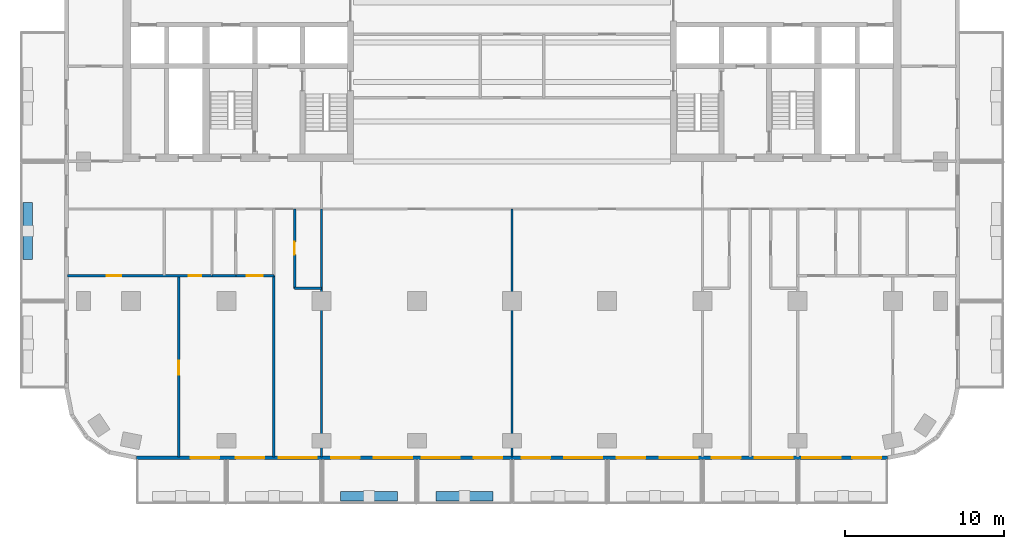
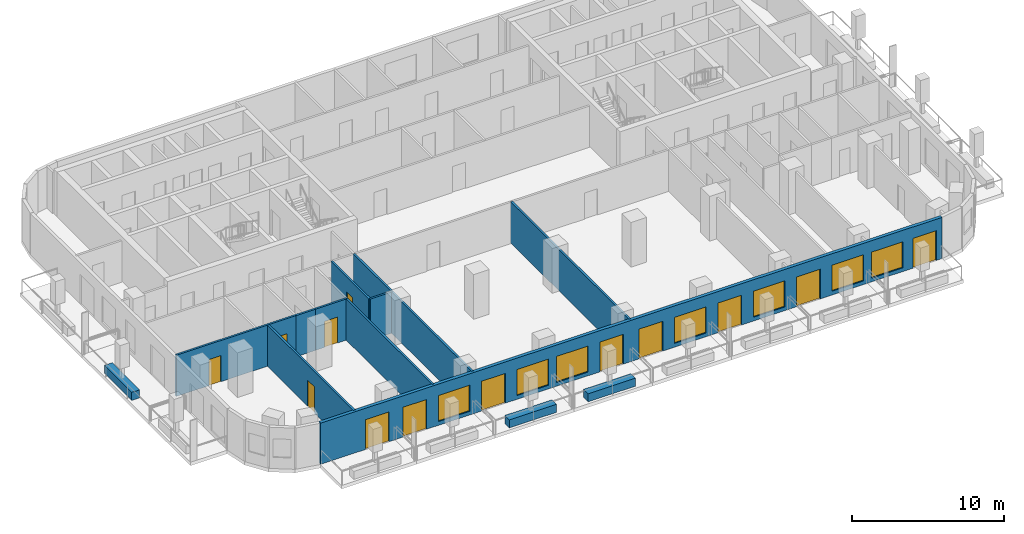
# One storey, part 2 of 11: 13 doors, 13 walls, 7 windows, 20 openings.
"""IFC4 building model written with IfcOpenShell, lengths in metres."""

from ifc_helpers import new_model, si_unit, direction, frame, frame_2d, origin, place, context, subcontext, project, spatial, rectangle, extrude, material, layer, layer_set, type_object, element, fill, save


model = new_model("IFC4")

# Units and contexts
model_context = context("Model", 3, precision=1e-05, world=origin(), true_north=direction((0.0, 1.0)))
body_context = subcontext(model_context, "Body", "Model", "MODEL_VIEW")
ifc_project = project(units=[si_unit("LENGTHUNIT", "METRE"), si_unit("AREAUNIT", "SQUARE_METRE"), si_unit("VOLUMEUNIT", "CUBIC_METRE"), si_unit("PLANEANGLEUNIT", "RADIAN"), si_unit("MASSUNIT", "GRAM", prefix="KILO")], contexts=[model_context])

# Site, building, storey
site_placement = place(None, origin())
site = spatial("IfcSite", under=ifc_project, at=site_placement, CompositionType="ELEMENT")
building_placement = place(site_placement, origin())
building = spatial("IfcBuilding", under=site, at=building_placement, Name="Torana Hotel and Residences", CompositionType="ELEMENT")
storey_placement = place(building_placement, frame((0.0, 0.0, 127.199951171875)))
storey = spatial("IfcBuildingStorey", under=building, at=storey_placement, Name="L32", CompositionType="ELEMENT", Elevation=127.199951171875)

# Wall, openings, doors, windows
ifc_material_1 = material(Name="Black aluminium composite panel", Category="aluminium")
ifc_layer_1 = layer(ifc_material_1, 0.00390625, Name="Cladding", Category="cladding")
ifc_material_2 = material(Name="Ventilated air cavity")
ifc_layer_2 = layer(ifc_material_2, 0.0400390625, Name="Ventilated cavity", Category="cavity")
ifc_material_3 = material(Name="Mineral wool insulation")
ifc_layer_3 = layer(ifc_material_3, 0.090087890625, Name="Insulation", Category="insulation")
ifc_material_4 = material(Name="Steel S280GD", Category="steel")
ifc_layer_4 = layer(ifc_material_4, 0.092041015625, Name="Steel stud frame", Category="structure")
ifc_material_5 = material(Name="Fire rated plasterboard")
ifc_layer_5 = layer(ifc_material_5, 0.011962890625, Name="Inner board", Category="finish")
ifc_layer_6 = layer(ifc_material_5, 0.011962890625, Name="Second board", Category="finish")
ifc_layer_set_1 = layer_set([ifc_layer_1, ifc_layer_2, ifc_layer_3, ifc_layer_4, ifc_layer_5, ifc_layer_6], Name="EW1 EXTERNAL WALL BLACK METAL CLAD 250")
wall_type_1 = type_object("IfcWallType", Name="EW1 EXTERNAL WALL BLACK METAL CLAD 250", PredefinedType="SOLIDWALL", material=ifc_layer_set_1)
wall_1_placement = place(storey_placement, frame((-23.67529296875, -33.675048828125, 0.0), z_axis=(0.0, 0.0, 1.0), x_axis=(1.0, 0.0, 0.0)))
wall_1 = element("IfcWall", 1, at=wall_1_placement, inside=storey, type_object=wall_type_1, Name="External wall L32 e0.14", PredefinedType="SOLIDWALL", context=body_context, shape_type="SweptSolid", body=[
    extrude(rectangle(XDim=47.3505859375, YDim=0.25, at=frame_2d((23.67529296875, 0.0))), origin(), (0.0, 0.0, 1.0), 3.320068359375),
])
opening_1_placement = place(wall_1_placement, frame((3.42529296875, 0.0, 0.0)))
opening_1 = element("IfcOpeningElement", 2, at=opening_1_placement, cuts=wall_1, Name="Opening L32-E01", PredefinedType="OPENING", context=body_context, shape_type="SweptSolid", body=[
    extrude(rectangle(XDim=1.800048828125, YDim=2.39990234375, at=frame_2d((0.89990234375, 1.199951171875))), frame((0.0, 0.135009765625, 0.0), z_axis=(0.0, -1.0, 0.0), x_axis=(1.0, 0.0, 0.0)), (0.0, 0.0, 1.0), 0.27001953125),
])
opening_2_placement = place(wall_1_placement, frame((6.275390625, 0.0, 0.0)))
opening_2 = element("IfcOpeningElement", 3, at=opening_2_placement, cuts=wall_1, Name="Opening L32-E02", PredefinedType="OPENING", context=body_context, shape_type="SweptSolid", body=[
    extrude(rectangle(XDim=1.800048828125, YDim=2.39990234375, at=frame_2d((0.89990234375, 1.199951171875))), frame((0.0, 0.135009765625, 0.0), z_axis=(0.0, -1.0, 0.0), x_axis=(1.0, 0.0, 0.0)), (0.0, 0.0, 1.0), 0.27001953125),
])
opening_3_placement = place(wall_1_placement, frame((8.975341796875, 0.0, 0.300048828125)))
opening_3 = element("IfcOpeningElement", 4, at=opening_3_placement, cuts=wall_1, Name="Opening W1", PredefinedType="OPENING", context=body_context, shape_type="SweptSolid", body=[
    extrude(rectangle(XDim=2.39990234375, YDim=2.10009765625, at=frame_2d((1.199951171875, 1.050048828125))), frame((0.0, 0.135009765625, 0.0), z_axis=(0.0, -1.0, 0.0), x_axis=(1.0, 0.0, 0.0)), (0.0, 0.0, 1.0), 0.27001953125),
])
opening_4_placement = place(wall_1_placement, frame((12.275390625, 0.0, 0.0)))
opening_4 = element("IfcOpeningElement", 5, at=opening_4_placement, cuts=wall_1, Name="Opening L32-E03", PredefinedType="OPENING", context=body_context, shape_type="SweptSolid", body=[
    extrude(rectangle(XDim=1.800048828125, YDim=2.39990234375, at=frame_2d((0.89990234375, 1.199951171875))), frame((0.0, 0.135009765625, 0.0), z_axis=(0.0, -1.0, 0.0), x_axis=(1.0, 0.0, 0.0)), (0.0, 0.0, 1.0), 0.27001953125),
])
opening_5_placement = place(wall_1_placement, frame((14.975341796875, 0.0, 0.300048828125)))
opening_5 = element("IfcOpeningElement", 6, at=opening_5_placement, cuts=wall_1, Name="Opening W1", PredefinedType="OPENING", context=body_context, shape_type="SweptSolid", body=[
    extrude(rectangle(XDim=2.39990234375, YDim=2.10009765625, at=frame_2d((1.199951171875, 1.050048828125))), frame((0.0, 0.135009765625, 0.0), z_axis=(0.0, -1.0, 0.0), x_axis=(1.0, 0.0, 0.0)), (0.0, 0.0, 1.0), 0.27001953125),
])
opening_6_placement = place(wall_1_placement, frame((17.975341796875, 0.0, 0.300048828125)))
opening_6 = element("IfcOpeningElement", 7, at=opening_6_placement, cuts=wall_1, Name="Opening W1", PredefinedType="OPENING", context=body_context, shape_type="SweptSolid", body=[
    extrude(rectangle(XDim=2.39990234375, YDim=2.10009765625, at=frame_2d((1.199951171875, 1.050048828125))), frame((0.0, 0.135009765625, 0.0), z_axis=(0.0, -1.0, 0.0), x_axis=(1.0, 0.0, 0.0)), (0.0, 0.0, 1.0), 0.27001953125),
])
opening_7_placement = place(wall_1_placement, frame((21.275390625, 0.0, 0.0)))
opening_7 = element("IfcOpeningElement", 8, at=opening_7_placement, cuts=wall_1, Name="Opening L32-E04", PredefinedType="OPENING", context=body_context, shape_type="SweptSolid", body=[
    extrude(rectangle(XDim=1.800048828125, YDim=2.39990234375, at=frame_2d((0.89990234375, 1.199951171875))), frame((0.0, 0.135009765625, 0.0), z_axis=(0.0, -1.0, 0.0), x_axis=(1.0, 0.0, 0.0)), (0.0, 0.0, 1.0), 0.27001953125),
])
opening_8_placement = place(wall_1_placement, frame((24.275390625, 0.0, 0.0)))
opening_8 = element("IfcOpeningElement", 9, at=opening_8_placement, cuts=wall_1, Name="Opening L32-E05", PredefinedType="OPENING", context=body_context, shape_type="SweptSolid", body=[
    extrude(rectangle(XDim=1.800048828125, YDim=2.39990234375, at=frame_2d((0.89990234375, 1.199951171875))), frame((0.0, 0.135009765625, 0.0), z_axis=(0.0, -1.0, 0.0), x_axis=(1.0, 0.0, 0.0)), (0.0, 0.0, 1.0), 0.27001953125),
])
opening_9_placement = place(wall_1_placement, frame((26.975341796875, 0.0, 0.300048828125)))
opening_9 = element("IfcOpeningElement", 10, at=opening_9_placement, cuts=wall_1, Name="Opening W1", PredefinedType="OPENING", context=body_context, shape_type="SweptSolid", body=[
    extrude(rectangle(XDim=2.39990234375, YDim=2.10009765625, at=frame_2d((1.199951171875, 1.050048828125))), frame((0.0, 0.135009765625, 0.0), z_axis=(0.0, -1.0, 0.0), x_axis=(1.0, 0.0, 0.0)), (0.0, 0.0, 1.0), 0.27001953125),
])
opening_10_placement = place(wall_1_placement, frame((30.275390625, 0.0, 0.0)))
opening_10 = element("IfcOpeningElement", 11, at=opening_10_placement, cuts=wall_1, Name="Opening L32-E06", PredefinedType="OPENING", context=body_context, shape_type="SweptSolid", body=[
    extrude(rectangle(XDim=1.800048828125, YDim=2.39990234375, at=frame_2d((0.89990234375, 1.199951171875))), frame((0.0, 0.135009765625, 0.0), z_axis=(0.0, -1.0, 0.0), x_axis=(1.0, 0.0, 0.0)), (0.0, 0.0, 1.0), 0.27001953125),
])
opening_11_placement = place(wall_1_placement, frame((32.975341796875, 0.0, 0.300048828125)))
opening_11 = element("IfcOpeningElement", 12, at=opening_11_placement, cuts=wall_1, Name="Opening W1", PredefinedType="OPENING", context=body_context, shape_type="SweptSolid", body=[
    extrude(rectangle(XDim=2.39990234375, YDim=2.10009765625, at=frame_2d((1.199951171875, 1.050048828125))), frame((0.0, 0.135009765625, 0.0), z_axis=(0.0, -1.0, 0.0), x_axis=(1.0, 0.0, 0.0)), (0.0, 0.0, 1.0), 0.27001953125),
])
opening_12_placement = place(wall_1_placement, frame((36.275390625, 0.0, 0.0)))
opening_12 = element("IfcOpeningElement", 13, at=opening_12_placement, cuts=wall_1, Name="Opening L32-E07", PredefinedType="OPENING", context=body_context, shape_type="SweptSolid", body=[
    extrude(rectangle(XDim=1.800048828125, YDim=2.39990234375, at=frame_2d((0.89990234375, 1.199951171875))), frame((0.0, 0.135009765625, 0.0), z_axis=(0.0, -1.0, 0.0), x_axis=(1.0, 0.0, 0.0)), (0.0, 0.0, 1.0), 0.27001953125),
])
opening_13_placement = place(wall_1_placement, frame((38.975341796875, 0.0, 0.300048828125)))
opening_13 = element("IfcOpeningElement", 14, at=opening_13_placement, cuts=wall_1, Name="Opening W1", PredefinedType="OPENING", context=body_context, shape_type="SweptSolid", body=[
    extrude(rectangle(XDim=2.39990234375, YDim=2.10009765625, at=frame_2d((1.199951171875, 1.050048828125))), frame((0.0, 0.135009765625, 0.0), z_axis=(0.0, -1.0, 0.0), x_axis=(1.0, 0.0, 0.0)), (0.0, 0.0, 1.0), 0.27001953125),
])
opening_14_placement = place(wall_1_placement, frame((41.975341796875, 0.0, 0.300048828125)))
opening_14 = element("IfcOpeningElement", 15, at=opening_14_placement, cuts=wall_1, Name="Opening W1", PredefinedType="OPENING", context=body_context, shape_type="SweptSolid", body=[
    extrude(rectangle(XDim=2.39990234375, YDim=2.10009765625, at=frame_2d((1.199951171875, 1.050048828125))), frame((0.0, 0.135009765625, 0.0), z_axis=(0.0, -1.0, 0.0), x_axis=(1.0, 0.0, 0.0)), (0.0, 0.0, 1.0), 0.27001953125),
])
opening_15_placement = place(wall_1_placement, frame((45.12548828125, 0.0, 0.0)))
opening_15 = element("IfcOpeningElement", 16, at=opening_15_placement, cuts=wall_1, Name="Opening L32-E08", PredefinedType="OPENING", context=body_context, shape_type="SweptSolid", body=[
    extrude(rectangle(XDim=1.800048828125, YDim=2.39990234375, at=frame_2d((0.89990234375, 1.199951171875))), frame((0.0, 0.135009765625, 0.0), z_axis=(0.0, -1.0, 0.0), x_axis=(1.0, 0.0, 0.0)), (0.0, 0.0, 1.0), 0.27001953125),
])
ifc_material_6 = material(Name="Dark glass in black aluminium frame", Category="aluminium")
door_type_1 = type_object("IfcDoorType", Name="DB1 BALCONY DOOR 1800x2400", OperationType="DOUBLE_DOOR_SINGLE_SWING", PredefinedType="DOOR", material=ifc_material_6)
door_1_placement = place(opening_1_placement, frame((0.89990234375, 0.0, 0.0), z_axis=(0.0, 0.0, 1.0), x_axis=(-1.0, 0.0, 0.0)))
door_1 = element("IfcDoor", 17, at=door_1_placement, inside=storey, type_object=door_type_1, Name="Balcony door L32", OperationType="DOUBLE_DOOR_SINGLE_SWING", OverallHeight=2.39990234375, OverallWidth=1.800048828125, PredefinedType="DOOR", context=body_context, shape_type="SweptSolid", body=[
    extrude(rectangle(XDim=1.800048828125, YDim=2.39990234375, at=frame_2d((0.0, 1.199951171875))), frame((0.0, -0.02490234375, 0.0), z_axis=(0.0, 1.0, 0.0), x_axis=(-1.0, 0.0, 0.0)), (0.0, 0.0, 1.0), 0.050048828125),
])
fill(opening_1, door_1)
door_2_placement = place(opening_2_placement, origin())
door_2 = element("IfcDoor", 18, at=door_2_placement, inside=storey, type_object=door_type_1, Name="Balcony door L32", OperationType="DOUBLE_DOOR_SINGLE_SWING", OverallHeight=2.39990234375, OverallWidth=1.800048828125, PredefinedType="DOOR", context=body_context, shape_type="SweptSolid", body=[
    extrude(rectangle(XDim=1.800048828125, YDim=2.39990234375, at=frame_2d((0.89990234375, 1.199951171875))), frame((0.0, 0.02490234375, 0.0), z_axis=(0.0, -1.0, 0.0), x_axis=(1.0, 0.0, 0.0)), (0.0, 0.0, 1.0), 0.050048828125),
])
fill(opening_2, door_2)
door_3_placement = place(opening_4_placement, origin())
door_3 = element("IfcDoor", 19, at=door_3_placement, inside=storey, type_object=door_type_1, Name="Balcony door L32", OperationType="DOUBLE_DOOR_SINGLE_SWING", OverallHeight=2.39990234375, OverallWidth=1.800048828125, PredefinedType="DOOR", context=body_context, shape_type="SweptSolid", body=[
    extrude(rectangle(XDim=1.800048828125, YDim=2.39990234375, at=frame_2d((0.89990234375, 1.199951171875))), frame((0.0, 0.02490234375, 0.0), z_axis=(0.0, -1.0, 0.0), x_axis=(1.0, 0.0, 0.0)), (0.0, 0.0, 1.0), 0.050048828125),
])
fill(opening_4, door_3)
door_4_placement = place(opening_7_placement, origin())
door_4 = element("IfcDoor", 20, at=door_4_placement, inside=storey, type_object=door_type_1, Name="Balcony door L32", OperationType="DOUBLE_DOOR_SINGLE_SWING", OverallHeight=2.39990234375, OverallWidth=1.800048828125, PredefinedType="DOOR", context=body_context, shape_type="SweptSolid", body=[
    extrude(rectangle(XDim=1.800048828125, YDim=2.39990234375, at=frame_2d((0.89990234375, 1.199951171875))), frame((0.0, 0.02490234375, 0.0), z_axis=(0.0, -1.0, 0.0), x_axis=(1.0, 0.0, 0.0)), (0.0, 0.0, 1.0), 0.050048828125),
])
fill(opening_7, door_4)
door_5_placement = place(opening_8_placement, origin())
door_5 = element("IfcDoor", 21, at=door_5_placement, inside=storey, type_object=door_type_1, Name="Balcony door L32", OperationType="DOUBLE_DOOR_SINGLE_SWING", OverallHeight=2.39990234375, OverallWidth=1.800048828125, PredefinedType="DOOR", context=body_context, shape_type="SweptSolid", body=[
    extrude(rectangle(XDim=1.800048828125, YDim=2.39990234375, at=frame_2d((0.89990234375, 1.199951171875))), frame((0.0, 0.02490234375, 0.0), z_axis=(0.0, -1.0, 0.0), x_axis=(1.0, 0.0, 0.0)), (0.0, 0.0, 1.0), 0.050048828125),
])
fill(opening_8, door_5)
door_6_placement = place(opening_10_placement, origin())
door_6 = element("IfcDoor", 22, at=door_6_placement, inside=storey, type_object=door_type_1, Name="Balcony door L32", OperationType="DOUBLE_DOOR_SINGLE_SWING", OverallHeight=2.39990234375, OverallWidth=1.800048828125, PredefinedType="DOOR", context=body_context, shape_type="SweptSolid", body=[
    extrude(rectangle(XDim=1.800048828125, YDim=2.39990234375, at=frame_2d((0.89990234375, 1.199951171875))), frame((0.0, 0.02490234375, 0.0), z_axis=(0.0, -1.0, 0.0), x_axis=(1.0, 0.0, 0.0)), (0.0, 0.0, 1.0), 0.050048828125),
])
fill(opening_10, door_6)
door_7_placement = place(opening_12_placement, origin())
door_7 = element("IfcDoor", 23, at=door_7_placement, inside=storey, type_object=door_type_1, Name="Balcony door L32", OperationType="DOUBLE_DOOR_SINGLE_SWING", OverallHeight=2.39990234375, OverallWidth=1.800048828125, PredefinedType="DOOR", context=body_context, shape_type="SweptSolid", body=[
    extrude(rectangle(XDim=1.800048828125, YDim=2.39990234375, at=frame_2d((0.89990234375, 1.199951171875))), frame((0.0, 0.02490234375, 0.0), z_axis=(0.0, -1.0, 0.0), x_axis=(1.0, 0.0, 0.0)), (0.0, 0.0, 1.0), 0.050048828125),
])
fill(opening_12, door_7)
door_8_placement = place(opening_15_placement, origin())
door_8 = element("IfcDoor", 24, at=door_8_placement, inside=storey, type_object=door_type_1, Name="Balcony door L32", OperationType="DOUBLE_DOOR_SINGLE_SWING", OverallHeight=2.39990234375, OverallWidth=1.800048828125, PredefinedType="DOOR", context=body_context, shape_type="SweptSolid", body=[
    extrude(rectangle(XDim=1.800048828125, YDim=2.39990234375, at=frame_2d((0.89990234375, 1.199951171875))), frame((0.0, 0.02490234375, 0.0), z_axis=(0.0, -1.0, 0.0), x_axis=(1.0, 0.0, 0.0)), (0.0, 0.0, 1.0), 0.050048828125),
])
fill(opening_15, door_8)
ifc_material_7 = material(Name="Dark glass in black aluminium frame", Category="aluminium")
window_type = type_object("IfcWindowType", Name="W1 HOTEL ROOM WINDOW 2400x2100", PartitioningType="SINGLE_PANEL", PredefinedType="WINDOW", material=ifc_material_7)
window_1_placement = place(opening_3_placement, origin())
window_1 = element("IfcWindow", 25, at=window_1_placement, inside=storey, type_object=window_type, Name="Window L32", OverallHeight=2.10009765625, OverallWidth=2.39990234375, PartitioningType="SINGLE_PANEL", PredefinedType="WINDOW", context=body_context, shape_type="SweptSolid", body=[
    extrude(rectangle(XDim=2.39990234375, YDim=2.10009765625, at=frame_2d((1.199951171875, 1.050048828125))), frame((0.0, 0.030029296875, 0.0), z_axis=(0.0, -1.0, 0.0), x_axis=(1.0, 0.0, 0.0)), (0.0, 0.0, 1.0), 0.06005859375),
])
fill(opening_3, window_1)
window_2_placement = place(opening_5_placement, origin())
window_2 = element("IfcWindow", 26, at=window_2_placement, inside=storey, type_object=window_type, Name="Window L32", OverallHeight=2.10009765625, OverallWidth=2.39990234375, PartitioningType="SINGLE_PANEL", PredefinedType="WINDOW", context=body_context, shape_type="SweptSolid", body=[
    extrude(rectangle(XDim=2.39990234375, YDim=2.10009765625, at=frame_2d((1.199951171875, 1.050048828125))), frame((0.0, 0.030029296875, 0.0), z_axis=(0.0, -1.0, 0.0), x_axis=(1.0, 0.0, 0.0)), (0.0, 0.0, 1.0), 0.06005859375),
])
fill(opening_5, window_2)
window_3_placement = place(opening_6_placement, origin())
window_3 = element("IfcWindow", 27, at=window_3_placement, inside=storey, type_object=window_type, Name="Window L32", OverallHeight=2.10009765625, OverallWidth=2.39990234375, PartitioningType="SINGLE_PANEL", PredefinedType="WINDOW", context=body_context, shape_type="SweptSolid", body=[
    extrude(rectangle(XDim=2.39990234375, YDim=2.10009765625, at=frame_2d((1.199951171875, 1.050048828125))), frame((0.0, 0.030029296875, 0.0), z_axis=(0.0, -1.0, 0.0), x_axis=(1.0, 0.0, 0.0)), (0.0, 0.0, 1.0), 0.06005859375),
])
fill(opening_6, window_3)
window_4_placement = place(opening_9_placement, origin())
window_4 = element("IfcWindow", 28, at=window_4_placement, inside=storey, type_object=window_type, Name="Window L32", OverallHeight=2.10009765625, OverallWidth=2.39990234375, PartitioningType="SINGLE_PANEL", PredefinedType="WINDOW", context=body_context, shape_type="SweptSolid", body=[
    extrude(rectangle(XDim=2.39990234375, YDim=2.10009765625, at=frame_2d((1.199951171875, 1.050048828125))), frame((0.0, 0.030029296875, 0.0), z_axis=(0.0, -1.0, 0.0), x_axis=(1.0, 0.0, 0.0)), (0.0, 0.0, 1.0), 0.06005859375),
])
fill(opening_9, window_4)
window_5_placement = place(opening_11_placement, origin())
window_5 = element("IfcWindow", 29, at=window_5_placement, inside=storey, type_object=window_type, Name="Window L32", OverallHeight=2.10009765625, OverallWidth=2.39990234375, PartitioningType="SINGLE_PANEL", PredefinedType="WINDOW", context=body_context, shape_type="SweptSolid", body=[
    extrude(rectangle(XDim=2.39990234375, YDim=2.10009765625, at=frame_2d((1.199951171875, 1.050048828125))), frame((0.0, 0.030029296875, 0.0), z_axis=(0.0, -1.0, 0.0), x_axis=(1.0, 0.0, 0.0)), (0.0, 0.0, 1.0), 0.06005859375),
])
fill(opening_11, window_5)
window_6_placement = place(opening_13_placement, origin())
window_6 = element("IfcWindow", 30, at=window_6_placement, inside=storey, type_object=window_type, Name="Window L32", OverallHeight=2.10009765625, OverallWidth=2.39990234375, PartitioningType="SINGLE_PANEL", PredefinedType="WINDOW", context=body_context, shape_type="SweptSolid", body=[
    extrude(rectangle(XDim=2.39990234375, YDim=2.10009765625, at=frame_2d((1.199951171875, 1.050048828125))), frame((0.0, 0.030029296875, 0.0), z_axis=(0.0, -1.0, 0.0), x_axis=(1.0, 0.0, 0.0)), (0.0, 0.0, 1.0), 0.06005859375),
])
fill(opening_13, window_6)
window_7_placement = place(opening_14_placement, origin())
window_7 = element("IfcWindow", 31, at=window_7_placement, inside=storey, type_object=window_type, Name="Window L32", OverallHeight=2.10009765625, OverallWidth=2.39990234375, PartitioningType="SINGLE_PANEL", PredefinedType="WINDOW", context=body_context, shape_type="SweptSolid", body=[
    extrude(rectangle(XDim=2.39990234375, YDim=2.10009765625, at=frame_2d((1.199951171875, 1.050048828125))), frame((0.0, 0.030029296875, 0.0), z_axis=(0.0, -1.0, 0.0), x_axis=(1.0, 0.0, 0.0)), (0.0, 0.0, 1.0), 0.06005859375),
])
fill(opening_14, window_7)

# Wall, opening, door
ifc_material_8 = material(Name="Gypsum plaster")
ifc_layer_7 = layer(ifc_material_8, 0.014892578125, Name="Plaster", Category="finish")
ifc_material_9 = material(Name="Concrete blockwork", Category="masonry")
ifc_layer_8 = layer(ifc_material_9, 0.1201171875, Name="Blockwork", Category="structure")
ifc_layer_9 = layer(ifc_material_8, 0.014892578125, Name="Plaster", Category="finish")
ifc_layer_set_2 = layer_set([ifc_layer_7, ifc_layer_8, ifc_layer_9], Name="FIRE PARTITION 150 BLOCKWORK")
wall_type_2 = type_object("IfcWallType", Name="FIRE PARTITION 150 BLOCKWORK", PredefinedType="PARTITIONING", material=ifc_layer_set_2)
wall_2_placement = place(storey_placement, frame((-17.39990234375, -22.199951171875, 0.0), z_axis=(0.0, 0.0, 1.0), x_axis=(1.0, 0.0, 0.0)))
wall_2 = element("IfcWall", 32, at=wall_2_placement, inside=storey, type_object=wall_type_2, Name="Partition L32", PredefinedType="PARTITIONING", context=body_context, shape_type="SweptSolid", body=[
    extrude(rectangle(XDim=2.39990234375, YDim=0.14990234375, at=frame_2d((1.199951171875, 0.0))), origin(), (0.0, 0.0, 1.0), 3.320068359375),
])
opening_16_placement = place(wall_2_placement, frame((0.679931640625, 0.0, 0.0)))
opening_16 = element("IfcOpeningElement", 33, at=opening_16_placement, cuts=wall_2, Name="Opening L32-55", PredefinedType="OPENING", context=body_context, shape_type="SweptSolid", body=[
    extrude(rectangle(XDim=1.0, YDim=2.10009765625, at=frame_2d((0.5, 1.050048828125))), frame((0.0, 0.0849609375, 0.0), z_axis=(0.0, -1.0, 0.0), x_axis=(1.0, 0.0, 0.0)), (0.0, 0.0, 1.0), 0.169921875),
])
ifc_material_10 = material(Name="Steel S235", Category="steel")
door_type_2 = type_object("IfcDoorType", Name="ENTRY FIRE DOOR D6 1000x2100", OperationType="SINGLE_SWING_LEFT", PredefinedType="DOOR", material=ifc_material_10)
door_9_placement = place(opening_16_placement, frame((0.5, 0.0, 0.0), z_axis=(0.0, 0.0, 1.0), x_axis=(-1.0, 0.0, 0.0)))
door_9 = element("IfcDoor", 34, at=door_9_placement, inside=storey, type_object=door_type_2, Name="Door L32", OperationType="SINGLE_SWING_RIGHT", OverallHeight=2.10009765625, OverallWidth=1.0, PredefinedType="DOOR", context=body_context, shape_type="SweptSolid", body=[
    extrude(rectangle(XDim=1.0, YDim=2.10009765625, at=frame_2d((0.0, 1.050048828125))), frame((0.0, -0.02490234375, 0.0), z_axis=(0.0, 1.0, 0.0), x_axis=(-1.0, 0.0, 0.0)), (0.0, 0.0, 1.0), 0.050048828125),
])
fill(opening_16, door_9)

# Walls
ifc_material_11 = material(Name="Gypsum plasterboard")
ifc_layer_10 = layer(ifc_material_11, 0.012451171875, Name="Plasterboard", Category="finish")
ifc_layer_11 = layer(ifc_material_11, 0.012451171875, Name="Plasterboard", Category="finish")
ifc_layer_12 = layer(ifc_material_4, 0.10009765625, Name="Steel studs with mineral wool", Category="insulation")
ifc_layer_13 = layer(ifc_material_11, 0.012451171875, Name="Plasterboard", Category="finish")
ifc_layer_14 = layer(ifc_material_11, 0.012451171875, Name="Plasterboard", Category="finish")
ifc_layer_set_3 = layer_set([ifc_layer_10, ifc_layer_11, ifc_layer_12, ifc_layer_13, ifc_layer_14], Name="PARTITION 150 PLASTERBOARD")
wall_type_3 = type_object("IfcWallType", Name="PARTITION 150 PLASTERBOARD", PredefinedType="PARTITIONING", material=ifc_layer_set_3)
for number, where, z_axis, x_axis, name in (
    (35, (0.0, -33.6201171875, 0.0), (0.0, 0.0, 1.0), (0.0, 1.0, 0.0), "Partition L32"),
    (36, (-12.0, -33.6201171875, 0.0), (0.0, 0.0, 1.0), (0.0, 1.0, 0.0), "Partition L32"),
):
    element("IfcWall", number, at=place(storey_placement, frame(where, z_axis=z_axis, x_axis=x_axis)), inside=storey, type_object=wall_type_3, Name=name, PredefinedType="PARTITIONING", context=body_context, shape_type="SweptSolid", body=[
        extrude(rectangle(XDim=15.6201171875, YDim=0.14990234375, at=frame_2d((7.81005859375, 0.0))), origin(), (0.0, 0.0, 1.0), 3.320068359375),
    ])

# Wall, opening, door
wall_3_placement = place(storey_placement, frame((-13.699951171875, -23.0, 0.0), z_axis=(0.0, 0.0, 1.0), x_axis=(0.0, 1.0, 0.0)))
wall_3 = element("IfcWall", 37, at=wall_3_placement, inside=storey, type_object=wall_type_3, Name="Partition L32", PredefinedType="PARTITIONING", context=body_context, shape_type="SweptSolid", body=[
    extrude(rectangle(XDim=5.0, YDim=0.14990234375, at=frame_2d((2.5, 0.0))), origin(), (0.0, 0.0, 1.0), 3.320068359375),
])
opening_17_placement = place(wall_3_placement, frame((2.1201171875, 0.0, 0.0)))
opening_17 = element("IfcOpeningElement", 38, at=opening_17_placement, cuts=wall_3, Name="Opening L32-51", PredefinedType="OPENING", context=body_context, shape_type="SweptSolid", body=[
    extrude(rectangle(XDim=0.800048828125, YDim=2.10009765625, at=frame_2d((0.39990234375, 1.050048828125))), frame((0.0, 0.0849609375, 0.0), z_axis=(0.0, -1.0, 0.0), x_axis=(1.0, 0.0, 0.0)), (0.0, 0.0, 1.0), 0.169921875),
])
ifc_material_12 = material(Name="Timber door, painted", Category="wood")
door_type_3 = type_object("IfcDoorType", Name="BATH DOOR D13 800x2100", OperationType="SINGLE_SWING_LEFT", PredefinedType="DOOR", material=ifc_material_12)
door_10_placement = place(opening_17_placement, origin())
door_10 = element("IfcDoor", 39, at=door_10_placement, inside=storey, type_object=door_type_3, Name="Door L32", OperationType="SINGLE_SWING_RIGHT", OverallHeight=2.10009765625, OverallWidth=0.800048828125, PredefinedType="DOOR", context=body_context, shape_type="SweptSolid", body=[
    extrude(rectangle(XDim=0.800048828125, YDim=2.10009765625, at=frame_2d((0.39990234375, 1.050048828125))), frame((0.0, 0.02490234375, 0.0), z_axis=(0.0, -1.0, 0.0), x_axis=(1.0, 0.0, 0.0)), (0.0, 0.0, 1.0), 0.050048828125),
])
fill(opening_17, door_10)

# Wall
wall_4_placement = place(storey_placement, frame((-15.0, -33.6201171875, 0.0), z_axis=(0.0, 0.0, 1.0), x_axis=(0.0, 1.0, 0.0)))
element("IfcWall", 40, at=wall_4_placement, inside=storey, type_object=wall_type_3, Name="Partition L32", PredefinedType="PARTITIONING", context=body_context, shape_type="SweptSolid", body=[
    extrude(rectangle(XDim=11.420166015625, YDim=0.14990234375, at=frame_2d((5.7099609375, 0.0))), origin(), (0.0, 0.0, 1.0), 3.320068359375),
])

# Wall, opening, door
wall_5_placement = place(storey_placement, frame((-21.0, -33.6201171875, 0.0), z_axis=(0.0, 0.0, 1.0), x_axis=(0.0, 1.0, 0.0)))
wall_5 = element("IfcWall", 41, at=wall_5_placement, inside=storey, type_object=wall_type_3, Name="Partition L32", PredefinedType="PARTITIONING", context=body_context, shape_type="SweptSolid", body=[
    extrude(rectangle(XDim=11.420166015625, YDim=0.14990234375, at=frame_2d((5.7099609375, 0.0))), origin(), (0.0, 0.0, 1.0), 3.320068359375),
])
opening_18_placement = place(wall_5_placement, frame((5.169921875, 0.0, 0.0)))
opening_18 = element("IfcOpeningElement", 42, at=opening_18_placement, cuts=wall_5, Name="Opening L32-58", PredefinedType="OPENING", context=body_context, shape_type="SweptSolid", body=[
    extrude(rectangle(XDim=0.89990234375, YDim=2.10009765625, at=frame_2d((0.449951171875, 1.050048828125))), frame((0.0, 0.0849609375, 0.0), z_axis=(0.0, -1.0, 0.0), x_axis=(1.0, 0.0, 0.0)), (0.0, 0.0, 1.0), 0.169921875),
])
ifc_material_13 = material(Name="Timber door, oiled ash", Category="wood")
door_type_4 = type_object("IfcDoorType", Name="ROOM DOOR D7 900x2100", OperationType="SINGLE_SWING_LEFT", PredefinedType="DOOR", material=ifc_material_13)
door_11_placement = place(opening_18_placement, origin())
door_11 = element("IfcDoor", 43, at=door_11_placement, inside=storey, type_object=door_type_4, Name="Door L32", OperationType="SINGLE_SWING_RIGHT", OverallHeight=2.10009765625, OverallWidth=0.89990234375, PredefinedType="DOOR", context=body_context, shape_type="SweptSolid", body=[
    extrude(rectangle(XDim=0.89990234375, YDim=2.10009765625, at=frame_2d((0.449951171875, 1.050048828125))), frame((0.0, 0.02490234375, 0.0), z_axis=(0.0, -1.0, 0.0), x_axis=(1.0, 0.0, 0.0)), (0.0, 0.0, 1.0), 0.050048828125),
])
fill(opening_18, door_11)

# Wall
wall_6_placement = place(storey_placement, frame((-13.699951171875, -23.0, 0.0), z_axis=(0.0, 0.0, 1.0), x_axis=(1.0, 0.0, 0.0)))
element("IfcWall", 44, at=wall_6_placement, inside=storey, type_object=wall_type_3, Name="Partition L32", PredefinedType="PARTITIONING", context=body_context, shape_type="SweptSolid", body=[
    extrude(rectangle(XDim=1.699951171875, YDim=0.14990234375, at=frame_2d((0.85009765625, 0.0))), origin(), (0.0, 0.0, 1.0), 3.320068359375),
])

# Wall, openings, doors
wall_7_placement = place(storey_placement, frame((-28.02001953125, -22.199951171875, 0.0), z_axis=(0.0, 0.0, 1.0), x_axis=(1.0, 0.0, 0.0)))
wall_7 = element("IfcWall", 45, at=wall_7_placement, inside=storey, type_object=wall_type_3, Name="Partition L32", PredefinedType="PARTITIONING", context=body_context, shape_type="SweptSolid", body=[
    extrude(rectangle(XDim=9.1201171875, YDim=0.14990234375, at=frame_2d((4.56005859375, 0.0))), origin(), (0.0, 0.0, 1.0), 3.320068359375),
])
opening_19_placement = place(wall_7_placement, frame((7.64990234375, 0.0, 0.0)))
opening_19 = element("IfcOpeningElement", 46, at=opening_19_placement, cuts=wall_7, Name="Opening L32-56", PredefinedType="OPENING", context=body_context, shape_type="SweptSolid", body=[
    extrude(rectangle(XDim=0.800048828125, YDim=2.10009765625, at=frame_2d((0.39990234375, 1.050048828125))), frame((0.0, 0.0849609375, 0.0), z_axis=(0.0, -1.0, 0.0), x_axis=(1.0, 0.0, 0.0)), (0.0, 0.0, 1.0), 0.169921875),
])
opening_20_placement = place(wall_7_placement, frame((2.5, 0.0, 0.0)))
opening_20 = element("IfcOpeningElement", 47, at=opening_20_placement, cuts=wall_7, Name="Opening L32-57", PredefinedType="OPENING", context=body_context, shape_type="SweptSolid", body=[
    extrude(rectangle(XDim=0.89990234375, YDim=2.10009765625, at=frame_2d((0.449951171875, 1.050048828125))), frame((0.0, 0.0849609375, 0.0), z_axis=(0.0, -1.0, 0.0), x_axis=(1.0, 0.0, 0.0)), (0.0, 0.0, 1.0), 0.169921875),
])
door_12_placement = place(opening_19_placement, origin())
door_12 = element("IfcDoor", 48, at=door_12_placement, inside=storey, type_object=door_type_3, Name="Door L32", OperationType="SINGLE_SWING_LEFT", OverallHeight=2.10009765625, OverallWidth=0.800048828125, PredefinedType="DOOR", context=body_context, shape_type="SweptSolid", body=[
    extrude(rectangle(XDim=0.800048828125, YDim=2.10009765625, at=frame_2d((0.39990234375, 1.050048828125))), frame((0.0, 0.02490234375, 0.0), z_axis=(0.0, -1.0, 0.0), x_axis=(1.0, 0.0, 0.0)), (0.0, 0.0, 1.0), 0.050048828125),
])
fill(opening_19, door_12)
door_13_placement = place(opening_20_placement, origin())
door_13 = element("IfcDoor", 49, at=door_13_placement, inside=storey, type_object=door_type_4, Name="Door L32", OperationType="SINGLE_SWING_RIGHT", OverallHeight=2.10009765625, OverallWidth=0.89990234375, PredefinedType="DOOR", context=body_context, shape_type="SweptSolid", body=[
    extrude(rectangle(XDim=0.89990234375, YDim=2.10009765625, at=frame_2d((0.449951171875, 1.050048828125))), frame((0.0, 0.02490234375, 0.0), z_axis=(0.0, -1.0, 0.0), x_axis=(1.0, 0.0, 0.0)), (0.0, 0.0, 1.0), 0.050048828125),
])
fill(opening_20, door_13)

# Walls
ifc_material_14 = material(Name="Concrete C40/50 precast", Category="concrete")
ifc_layer_15 = layer(ifc_material_14, 0.10009765625, Name="Planter shell", Category="structure")
ifc_material_15 = material(Name="Root resistant membrane")
ifc_layer_16 = layer(ifc_material_15, 0.00390625, Name="Waterproofing membrane", Category="membrane")
ifc_material_16 = material(Name="Drainage board with filter fleece")
ifc_layer_17 = layer(ifc_material_16, 0.02001953125, Name="Drainage board", Category="drainage")
ifc_material_17 = material(Name="Growing medium")
ifc_layer_18 = layer(ifc_material_17, 0.47607421875, Name="Planting substrate", Category="soil")
ifc_layer_set_4 = layer_set([ifc_layer_15, ifc_layer_16, ifc_layer_17, ifc_layer_18], Name="PL1 BALCONY PLANTER 600")
wall_type_4 = type_object("IfcWallType", Name="PL1 BALCONY PLANTER 600", PredefinedType="USERDEFINED", material=ifc_layer_set_4)
for number, where, z_axis, x_axis, name in (
    (50, (-7.199951171875, -36.10009765625, 0.0), (0.0, 0.0, 1.0), (-1.0, 0.0, 0.0), "Planter 03"),
    (51, (-1.199951171875, -36.10009765625, 0.0), (0.0, 0.0, 1.0), (-1.0, 0.0, 0.0), "Planter 04"),
):
    element("IfcWall", number, at=place(storey_placement, frame(where, z_axis=z_axis, x_axis=x_axis)), inside=storey, type_object=wall_type_4, Name=name, ObjectType="PLANTER", PredefinedType="USERDEFINED", context=body_context, shape_type="SweptSolid", body=[
        extrude(rectangle(XDim=3.60009765625, YDim=0.60009765625, at=frame_2d((1.800048828125, 0.0))), origin(), (0.0, 0.0, 1.0), 0.650146484375),
    ])
wall_8_placement = place(storey_placement, frame((-30.5, -21.199951171875, 0.0), z_axis=(0.0, 0.0, 1.0), x_axis=(0.0, 1.0, 0.0)))
element("IfcWall", 52, at=wall_8_placement, inside=storey, type_object=wall_type_4, Name="Planter 10", ObjectType="PLANTER", PredefinedType="USERDEFINED", context=body_context, shape_type="SweptSolid", body=[
    extrude(rectangle(XDim=3.599853515625, YDim=0.60009765625, at=frame_2d((1.7998046875, 0.0))), origin(), (0.0, 0.0, 1.0), 0.650146484375),
])
ifc_material_18 = material(Name="Ceramic tile on adhesive")
ifc_layer_19 = layer(ifc_material_18, 0.010009765625, Name="Wall tile", Category="finish")
ifc_material_19 = material(Name="Cement render")
ifc_layer_20 = layer(ifc_material_19, 0.010009765625, Name="Render", Category="finish")
ifc_layer_21 = layer(ifc_material_9, 0.110107421875, Name="Blockwork", Category="structure")
ifc_layer_22 = layer(ifc_material_19, 0.010009765625, Name="Render", Category="finish")
ifc_layer_23 = layer(ifc_material_18, 0.010009765625, Name="Wall tile", Category="finish")
ifc_layer_set_5 = layer_set([ifc_layer_19, ifc_layer_20, ifc_layer_21, ifc_layer_22, ifc_layer_23], Name="WC PARTITION 150")
wall_type_5 = type_object("IfcWallType", Name="WC PARTITION 150", PredefinedType="PLUMBINGWALL", material=ifc_layer_set_5)
wall_9_placement = place(storey_placement, frame((-18.89990234375, -22.199951171875, 0.0), z_axis=(0.0, 0.0, 1.0), x_axis=(1.0, 0.0, 0.0)))
element("IfcWall", 53, at=wall_9_placement, inside=storey, type_object=wall_type_5, Name="Partition L32", PredefinedType="PLUMBINGWALL", context=body_context, shape_type="SweptSolid", body=[
    extrude(rectangle(XDim=1.5, YDim=0.14990234375, at=frame_2d((0.75, 0.0))), origin(), (0.0, 0.0, 1.0), 3.320068359375),
])

save(model, "model.ifc")
